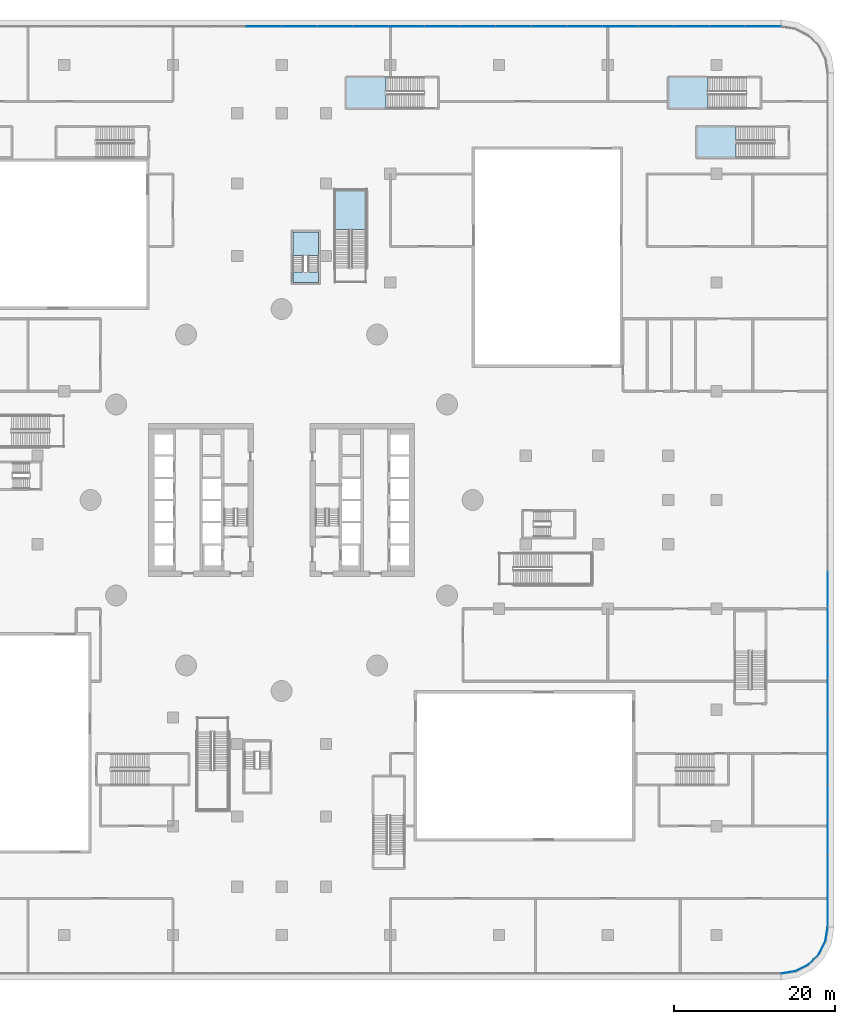
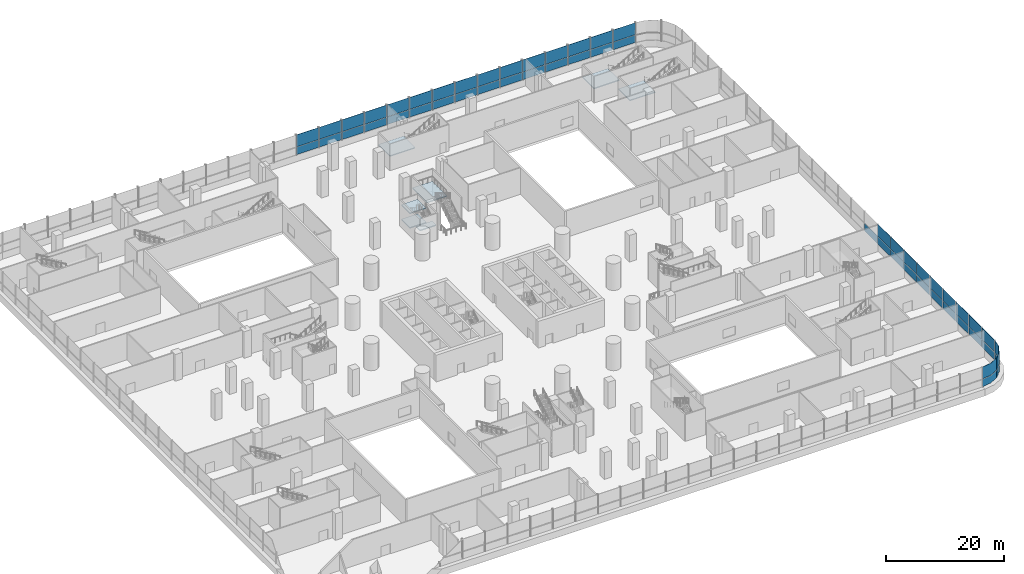
# One storey, part 26 of 52: 53 plates, 7 slabs, 8 elements without a shape of their own.
"""IFC4 building model written with IfcOpenShell, lengths in metres."""

import ifcopenshell
import ifcopenshell.guid

model = None  # the IFC model being written
_history = None  # IfcOwnerHistory: only IFC2X3 demands one
_inside = {}  # id of a spatial element -> (the spatial element, [elements in it])
_under = {}  # id of a project, library or spatial element -> (it, [spatial elements below it])
_declared = {}  # id of a project -> (the project, [libraries it declares])
_typed = {}  # id of a type object -> (the type object, [elements of that type])
_made_of = {}  # id of a material, layer set ... -> (it, [elements and type objects made of it])


def new_model(schema):
    """Start an empty IFC model of exactly this schema.

    Asked for "IFC4X3", IfcOpenShell would pick the latest addendum, in which some entities
    have other attributes; the version numbers below select the first issue.
    IFC2X3 requires an IfcOwnerHistory on every rooted entity: one is made here for all.
    """
    global model, _history
    if schema == "IFC4X3":
        model = ifcopenshell.file(schema_version=(4, 3, 0, 0))
    else:
        model = ifcopenshell.file(schema=schema)
    _inside.clear()
    _under.clear()
    _declared.clear()
    _typed.clear()
    _made_of.clear()
    _history = None
    if model.schema == "IFC2X3":
        org = make("IfcOrganization", Name="unknown")
        user = make(
            "IfcPersonAndOrganization",
            ThePerson=make("IfcPerson", FamilyName="unknown"),
            TheOrganization=org,
        )
        app = make(
            "IfcApplication",
            ApplicationDeveloper=org,
            Version="unknown",
            ApplicationFullName="unknown",
            ApplicationIdentifier="unknown",
        )
        _history = make(
            "IfcOwnerHistory",
            OwningUser=user,
            OwningApplication=app,
            ChangeAction="ADDED",
            CreationDate=0,
        )
    return model


def make(cls, **values):
    """One entity of the class cls with the attributes given. An attribute that is None is left unset."""
    return model.create_entity(
        cls, **{name: value for name, value in values.items() if value is not None}
    )


def rooted(cls, **values):
    """An entity with a GlobalId (a new one), such as an element, a storey or a relation."""
    return make(cls, GlobalId=ifcopenshell.guid.new(), OwnerHistory=_history, **values)


def si_unit(unit_type, name, prefix=None):
    """IfcSIUnit, for example si_unit("LENGTHUNIT", "METRE", prefix="MILLI")."""
    return make("IfcSIUnit", UnitType=unit_type, Prefix=prefix, Name=name)


def assignment(units):
    """IfcUnitAssignment: the units of a project."""
    return None if units is None else make("IfcUnitAssignment", Units=units)


def point(xyz):
    """IfcCartesianPoint."""
    return None if xyz is None else make("IfcCartesianPoint", Coordinates=xyz)


def direction(xyz):
    """IfcDirection."""
    return None if xyz is None else make("IfcDirection", DirectionRatios=xyz)


def frame(location, z_axis=None, x_axis=None):
    """IfcAxis2Placement3D, a coordinate frame: its origin and axes. An axis left out is left unset."""
    return make(
        "IfcAxis2Placement3D",
        Location=point(location),
        Axis=direction(z_axis),
        RefDirection=direction(x_axis),
    )


def origin():
    """The frame at (0, 0, 0) with its axes left unset."""
    return frame((0.0, 0.0, 0.0))


def place(relative_to, where):
    """IfcLocalPlacement: puts the frame where relative to a parent placement (None: the world)."""
    return make(
        "IfcLocalPlacement", PlacementRelTo=relative_to, RelativePlacement=where
    )


def context(
    kind, dimensions, precision=None, world=None, true_north=None, identifier=None
):
    """IfcGeometricRepresentationContext, for example the 3D "Model" context."""
    return make(
        "IfcGeometricRepresentationContext",
        ContextIdentifier=identifier,
        ContextType=kind,
        CoordinateSpaceDimension=dimensions,
        Precision=precision,
        WorldCoordinateSystem=world,
        TrueNorth=true_north,
    )


def subcontext(parent, identifier, kind, view, scale=None):
    """IfcGeometricRepresentationSubContext, for example "Body" below "Model"."""
    return make(
        "IfcGeometricRepresentationSubContext",
        ContextIdentifier=identifier,
        ContextType=kind,
        ParentContext=parent,
        TargetScale=scale,
        TargetView=view,
    )


def project(units=None, contexts=None):
    """IfcProject with its units and contexts."""
    return rooted(
        "IfcProject",
        Name="project",
        RepresentationContexts=contexts,
        UnitsInContext=assignment(units),
    )


def spatial(cls, under=None, at=None, **own):
    """A site, building, storey or space (cls), placed at a placement, below another one or the project."""
    s = rooted(cls, ObjectPlacement=at, **own)
    if under is not None:
        _under.setdefault(under.id(), (under, []))[1].append(s)
    return s


def polyline(points):
    """IfcPolyline through the points."""
    return make("IfcPolyline", Points=[point(p) for p in points])


def outline(outer, holes=None, kind="AREA"):
    """IfcArbitraryClosedProfileDef: a profile drawn as a closed curve; with holes, ...WithVoids."""
    if holes is None:
        return make("IfcArbitraryClosedProfileDef", ProfileType=kind, OuterCurve=outer)
    return make(
        "IfcArbitraryProfileDefWithVoids",
        ProfileType=kind,
        OuterCurve=outer,
        InnerCurves=holes,
    )


def extrude(swept, where, along, depth):
    """IfcExtrudedAreaSolid: the profile swept, set in the frame where, extruded along a direction by depth."""
    return make(
        "IfcExtrudedAreaSolid",
        SweptArea=swept,
        Position=where,
        ExtrudedDirection=direction(along),
        Depth=depth,
    )


def shape(context_of_items, identifier, shape_type, items):
    """IfcShapeRepresentation: the items that make up one representation, for example the "Body"."""
    return make(
        "IfcShapeRepresentation",
        ContextOfItems=context_of_items,
        RepresentationIdentifier=identifier,
        RepresentationType=shape_type,
        Items=items,
    )


def material(Name=None, Category=None):
    """IfcMaterial."""
    return make("IfcMaterial", Name=Name, Category=Category)


def layer(
    of_material, thickness, ventilated=None, Name=None, Category=None, Priority=None
):
    """IfcMaterialLayer: one layer of a wall or slab, of a material (None: an air gap)."""
    return make(
        "IfcMaterialLayer",
        Material=of_material,
        LayerThickness=thickness,
        IsVentilated=ventilated,
        Name=Name,
        Category=Category,
        Priority=Priority,
    )


def layer_set(layers, Name=None):
    """IfcMaterialLayerSet."""
    return make("IfcMaterialLayerSet", MaterialLayers=layers, LayerSetName=Name)


def made_of(thing, what):
    """Note that an element or type object is made of a material, layer set ...; save() writes the relation."""
    if what is not None:
        _made_of.setdefault(what.id(), (what, []))[1].append(thing)
    return thing


def type_object(cls, material=None, **own):
    """A type object (cls), such as IfcWallType, which elements share."""
    return made_of(rooted(cls, **own), material)


def element(
    cls,
    number,
    at=None,
    inside=None,
    cuts=None,
    type_object=None,
    material=None,
    context=None,
    identifier="Body",
    shape_type=None,
    held_by="IfcProductDefinitionShape",
    body=None,
    shapes=None,
    **own,
):
    """One element of the class cls, such as IfcWall. Its Tag is "e" and its number.

    at: its placement. inside: the storey or other place that contains it. cuts: it is an
    opening in that element (IfcRelVoidsElement). A single representation is given by context,
    identifier, shape_type and body (its items); several are given by shapes. held_by: the class
    of the entity that holds the representations. save() writes the other relations.
    """
    e = rooted(cls, Tag="e%d" % number, ObjectPlacement=at, **own)
    if body is not None:
        shapes = [shape(context, identifier, shape_type, body)]
    if shapes is not None:
        e.Representation = make(held_by, Representations=shapes)
    if inside is not None:
        _inside.setdefault(inside.id(), (inside, []))[1].append(e)
    if cuts is not None:
        rooted(
            "IfcRelVoidsElement", RelatingBuildingElement=cuts, RelatedOpeningElement=e
        )
    if type_object is not None:
        _typed.setdefault(type_object.id(), (type_object, []))[1].append(e)
    return made_of(e, material)


def aggregate(whole, parts):
    """IfcRelAggregates: a whole, such as a stair, and the parts it consists of."""
    return rooted("IfcRelAggregates", RelatingObject=whole, RelatedObjects=parts)


def save(model, path):
    """Write the relations noted so far, then the file.

    IfcRelAggregates (storeys below a building ...), IfcRelContainedInSpatialStructure (elements
    in a storey), IfcRelDefinesByType, IfcRelAssociatesMaterial and IfcRelDeclares: one each for
    every whole, place, type object, material and project.
    """
    for whole, parts in _under.values():
        aggregate(whole, parts)
    for where, things in _inside.values():
        rooted(
            "IfcRelContainedInSpatialStructure",
            RelatedElements=things,
            RelatingStructure=where,
        )
    for kind, things in _typed.values():
        rooted("IfcRelDefinesByType", RelatedObjects=things, RelatingType=kind)
    for what, things in _made_of.values():
        rooted("IfcRelAssociatesMaterial", RelatedObjects=things, RelatingMaterial=what)
    for by, libraries in _declared.values():
        rooted("IfcRelDeclares", RelatingContext=by, RelatedDefinitions=libraries)
    model.write(path)


model = new_model("IFC4")

# Units and contexts
model_context = context("Model", 3, precision=1e-05, world=origin(), true_north=direction((0.0, 1.0)))
body_context = subcontext(model_context, "Body", "Model", "MODEL_VIEW")
ifc_project = project(units=[si_unit("LENGTHUNIT", "METRE"), si_unit("AREAUNIT", "SQUARE_METRE"), si_unit("VOLUMEUNIT", "CUBIC_METRE"), si_unit("PLANEANGLEUNIT", "RADIAN"), si_unit("MASSUNIT", "GRAM", prefix="KILO")], contexts=[model_context])

# Site, building, storey
site_placement = place(None, origin())
site = spatial("IfcSite", under=ifc_project, at=site_placement, CompositionType="ELEMENT")
building_placement = place(site_placement, origin())
building = spatial("IfcBuilding", under=site, at=building_placement, Name="Tamarind Cross Interchange Tower", CompositionType="ELEMENT")
storey_placement = place(building_placement, frame((0.0, 0.0, 9.0)))
storey = spatial("IfcBuildingStorey", under=building, at=storey_placement, Name="L01", CompositionType="ELEMENT", Elevation=9.0)

# Stair, slab
ifc_material_1 = material(Name="Public stair")
stair_type_1 = type_object("IfcStairType", Name="Public stair", PredefinedType="HALF_TURN_STAIR", material=ifc_material_1)
stair_1_placement = place(storey_placement, origin())
stair_1 = element("IfcStair", 1, at=stair_1_placement, inside=storey, type_object=stair_type_1, Name="L01 public stair PS-N", PredefinedType="HALF_TURN_STAIR")
ifc_material_2 = material(Name="Concrete C40", Category="concrete")
ifc_layer_1 = layer(ifc_material_2, 0.199951171875)
ifc_layer_set_1 = layer_set([ifc_layer_1], Name="Concrete C40")
slab_type_1 = type_object("IfcSlabType", Name="Public stair landing", PredefinedType="LANDING", material=ifc_layer_set_1)
slab_1_placement = place(storey_placement, frame((0.0, 0.0, 2.800048828125)))
slab_1 = element("IfcSlab", 2, at=slab_1_placement, type_object=slab_type_1, Name="PS-N landing 1", PredefinedType="LANDING", context=body_context, shape_type="SweptSolid", body=[
    extrude(outline(polyline([(10.5, 33.56005859375), (10.5, 38.5), (6.60009765625, 38.5), (6.60009765625, 33.56005859375), (10.5, 33.56005859375)])), origin(), (0.0, 0.0, 1.0), 0.199951171875),
])
aggregate(stair_1, [slab_1])

stair_2_placement = place(storey_placement, origin())
stair_2 = element("IfcStair", 3, at=stair_2_placement, inside=storey, type_object=stair_type_1, Name="L01 exit stair XS-P01", PredefinedType="HALF_TURN_STAIR")
slab_2_placement = place(storey_placement, frame((0.0, 0.0, 2.800048828125)))
slab_2 = element("IfcSlab", 4, at=slab_2_placement, type_object=slab_type_1, Name="XS-P01 landing 1", PredefinedType="LANDING", context=body_context, shape_type="SweptSolid", body=[
    extrude(outline(polyline([(52.93994140625, 52.5), (48.0, 52.5), (48.0, 48.60009765625), (52.93994140625, 48.60009765625), (52.93994140625, 52.5)])), origin(), (0.0, 0.0, 1.0), 0.199951171875),
])
aggregate(stair_2, [slab_2])

stair_3_placement = place(storey_placement, origin())
stair_3 = element("IfcStair", 5, at=stair_3_placement, inside=storey, type_object=stair_type_1, Name="L01 exit stair XS-P02", PredefinedType="HALF_TURN_STAIR")
slab_3_placement = place(storey_placement, frame((0.0, 0.0, 2.800048828125)))
slab_3 = element("IfcSlab", 6, at=slab_3_placement, type_object=slab_type_1, Name="XS-P02 landing 1", PredefinedType="LANDING", context=body_context, shape_type="SweptSolid", body=[
    extrude(outline(polyline([(56.43994140625, 46.39990234375), (51.5, 46.39990234375), (51.5, 42.5), (56.43994140625, 42.5), (56.43994140625, 46.39990234375)])), origin(), (0.0, 0.0, 1.0), 0.199951171875),
])
aggregate(stair_3, [slab_3])

stair_4_placement = place(storey_placement, origin())
stair_4 = element("IfcStair", 7, at=stair_4_placement, inside=storey, type_object=stair_type_1, Name="L01 exit stair XS-P03", PredefinedType="HALF_TURN_STAIR")
slab_4_placement = place(storey_placement, frame((0.0, 0.0, 2.800048828125)))
slab_4 = element("IfcSlab", 8, at=slab_4_placement, type_object=slab_type_1, Name="XS-P03 landing 1", PredefinedType="LANDING", context=body_context, shape_type="SweptSolid", body=[
    extrude(outline(polyline([(12.93994140625, 52.5), (8.0, 52.5), (8.0, 48.60009765625), (12.93994140625, 48.60009765625), (12.93994140625, 52.5)])), origin(), (0.0, 0.0, 1.0), 0.199951171875),
])
aggregate(stair_4, [slab_4])

# Stair, slabs
ifc_material_3 = material(Name="Exit stair")
stair_type_2 = type_object("IfcStairType", Name="Exit stair", PredefinedType="HALF_TURN_STAIR", material=ifc_material_3)
stair_5_placement = place(storey_placement, origin())
stair_5 = element("IfcStair", 9, at=stair_5_placement, inside=storey, type_object=stair_type_2, Name="L01 exit stair ST4", PredefinedType="HALF_TURN_STAIR")
ifc_layer_2 = layer(ifc_material_2, 0.199951171875)
ifc_layer_set_2 = layer_set([ifc_layer_2], Name="Concrete C40")
slab_type_2 = type_object("IfcSlabType", Name="Stair landing", PredefinedType="LANDING", material=ifc_layer_set_2)
slab_5_placement = place(storey_placement, frame((0.0, 0.0, 1.300048828125)))
slab_5 = element("IfcSlab", 10, at=slab_5_placement, type_object=slab_type_2, Name="ST4 landing 1", PredefinedType="LANDING", context=body_context, shape_type="SweptSolid", body=[
    extrude(outline(polyline([(4.60009765625, 30.367919921875), (4.60009765625, 33.300048828125), (1.39990234375, 33.300048828125), (1.39990234375, 30.367919921875), (4.60009765625, 30.367919921875)])), origin(), (0.0, 0.0, 1.0), 0.199951171875),
])
slab_6_placement = place(storey_placement, frame((0.0, 0.0, 2.800048828125)))
slab_6 = element("IfcSlab", 11, at=slab_6_placement, type_object=slab_type_2, Name="ST4 landing 2", PredefinedType="LANDING", context=body_context, shape_type="SweptSolid", body=[
    extrude(outline(polyline([(4.60009765625, 27.0), (4.60009765625, 28.31201171875), (1.39990234375, 28.31201171875), (1.39990234375, 27.0), (4.60009765625, 27.0)])), origin(), (0.0, 0.0, 1.0), 0.199951171875),
])
slab_7_placement = place(storey_placement, frame((0.0, 0.0, 4.300048828125)))
slab_7 = element("IfcSlab", 12, at=slab_7_placement, type_object=slab_type_2, Name="ST4 landing 3", PredefinedType="LANDING", context=body_context, shape_type="SweptSolid", body=[
    extrude(outline(polyline([(4.60009765625, 30.367919921875), (4.60009765625, 33.300048828125), (1.39990234375, 33.300048828125), (1.39990234375, 30.367919921875), (4.60009765625, 30.367919921875)])), origin(), (0.0, 0.0, 1.0), 0.199951171875),
])
aggregate(stair_5, [slab_5, slab_6, slab_7])

# Curtain wall, plates
ifc_material_4 = material(Name="Aluminium 6063-T6", Category="aluminium")
ifc_layer_3 = layer(ifc_material_4, 0.199951171875)
ifc_layer_set_3 = layer_set([ifc_layer_3], Name="Aluminium 6063-T6")
curtain_wall_type = type_object("IfcCurtainWallType", Name="Podium shopfront and station curtain wall", PredefinedType="NOTDEFINED", material=ifc_layer_set_3)
curtain_wall_1_placement = place(storey_placement, origin())
curtain_wall_1 = element("IfcCurtainWall", 13, at=curtain_wall_1_placement, inside=storey, type_object=curtain_wall_type, Name="CWS-L01-00", PredefinedType="NOTDEFINED")
ifc_material_5 = material(Name="Toughened low-e glass 10+12+10", Category="glass")
ifc_layer_4 = layer(ifc_material_5, 0.031982421875)
ifc_layer_set_4 = layer_set([ifc_layer_4], Name="Toughened low-e glass 10+12+10")
plate_type = type_object("IfcPlateType", Name="Vision panel CW3", PredefinedType="CURTAIN_PANEL", material=ifc_layer_set_4)
plate_1_placement = place(storey_placement, frame((0.0, 0.0, 1.39990234375)))
plate_1 = element("IfcPlate", 14, at=plate_1_placement, type_object=plate_type, Name="CWP-L01-00-00-0", PredefinedType="CURTAIN_PANEL", context=body_context, shape_type="SweptSolid", body=[
    extrude(outline(polyline([(67.783935546875, -52.9443359375), (67.783935546875, -48.60888671875), (67.81591796875, -48.60888671875), (67.81591796875, -52.9443359375), (67.783935546875, -52.9443359375)])), origin(), (0.0, 0.0, 1.0), 1.570068359375),
])
plate_2_placement = place(storey_placement, frame((0.0, 0.0, 3.030029296875)))
plate_2 = element("IfcPlate", 15, at=plate_2_placement, type_object=plate_type, Name="CWP-L01-00-00-1", PredefinedType="CURTAIN_PANEL", context=body_context, shape_type="SweptSolid", body=[
    extrude(outline(polyline([(67.783935546875, -52.9443359375), (67.783935546875, -48.60888671875), (67.81591796875, -48.60888671875), (67.81591796875, -52.9443359375), (67.783935546875, -52.9443359375)])), origin(), (0.0, 0.0, 1.0), 2.469970703125),
])
plate_3_placement = place(storey_placement, frame((0.0, 0.0, 1.39990234375)))
plate_3 = element("IfcPlate", 16, at=plate_3_placement, type_object=plate_type, Name="CWP-L01-00-01-0", PredefinedType="CURTAIN_PANEL", context=body_context, shape_type="SweptSolid", body=[
    extrude(outline(polyline([(67.783935546875, -48.52880859375), (67.783935546875, -44.193603515625), (67.81591796875, -44.193603515625), (67.81591796875, -48.52880859375), (67.783935546875, -48.52880859375)])), origin(), (0.0, 0.0, 1.0), 1.570068359375),
])
plate_4_placement = place(storey_placement, frame((0.0, 0.0, 3.030029296875)))
plate_4 = element("IfcPlate", 17, at=plate_4_placement, type_object=plate_type, Name="CWP-L01-00-01-1", PredefinedType="CURTAIN_PANEL", context=body_context, shape_type="SweptSolid", body=[
    extrude(outline(polyline([(67.783935546875, -48.52880859375), (67.783935546875, -44.193603515625), (67.81591796875, -44.193603515625), (67.81591796875, -48.52880859375), (67.783935546875, -48.52880859375)])), origin(), (0.0, 0.0, 1.0), 2.469970703125),
])
plate_5_placement = place(storey_placement, frame((0.0, 0.0, 1.39990234375)))
plate_5 = element("IfcPlate", 18, at=plate_5_placement, type_object=plate_type, Name="CWP-L01-00-02-0", PredefinedType="CURTAIN_PANEL", context=body_context, shape_type="SweptSolid", body=[
    extrude(outline(polyline([(67.783935546875, -44.113525390625), (67.783935546875, -39.778076171875), (67.81591796875, -39.778076171875), (67.81591796875, -44.113525390625), (67.783935546875, -44.113525390625)])), origin(), (0.0, 0.0, 1.0), 1.570068359375),
])
plate_6_placement = place(storey_placement, frame((0.0, 0.0, 3.030029296875)))
plate_6 = element("IfcPlate", 19, at=plate_6_placement, type_object=plate_type, Name="CWP-L01-00-02-1", PredefinedType="CURTAIN_PANEL", context=body_context, shape_type="SweptSolid", body=[
    extrude(outline(polyline([(67.783935546875, -44.113525390625), (67.783935546875, -39.778076171875), (67.81591796875, -39.778076171875), (67.81591796875, -44.113525390625), (67.783935546875, -44.113525390625)])), origin(), (0.0, 0.0, 1.0), 2.469970703125),
])
plate_7_placement = place(storey_placement, frame((0.0, 0.0, 1.39990234375)))
plate_7 = element("IfcPlate", 20, at=plate_7_placement, type_object=plate_type, Name="CWP-L01-00-03-0", PredefinedType="CURTAIN_PANEL", context=body_context, shape_type="SweptSolid", body=[
    extrude(outline(polyline([(67.783935546875, -39.6982421875), (67.783935546875, -35.36279296875), (67.81591796875, -35.36279296875), (67.81591796875, -39.6982421875), (67.783935546875, -39.6982421875)])), origin(), (0.0, 0.0, 1.0), 1.570068359375),
])
plate_8_placement = place(storey_placement, frame((0.0, 0.0, 3.030029296875)))
plate_8 = element("IfcPlate", 21, at=plate_8_placement, type_object=plate_type, Name="CWP-L01-00-03-1", PredefinedType="CURTAIN_PANEL", context=body_context, shape_type="SweptSolid", body=[
    extrude(outline(polyline([(67.783935546875, -39.6982421875), (67.783935546875, -35.36279296875), (67.81591796875, -35.36279296875), (67.81591796875, -39.6982421875), (67.783935546875, -39.6982421875)])), origin(), (0.0, 0.0, 1.0), 2.469970703125),
])
plate_9_placement = place(storey_placement, frame((0.0, 0.0, 1.39990234375)))
plate_9 = element("IfcPlate", 22, at=plate_9_placement, type_object=plate_type, Name="CWP-L01-00-04-0", PredefinedType="CURTAIN_PANEL", context=body_context, shape_type="SweptSolid", body=[
    extrude(outline(polyline([(67.783935546875, -35.282958984375), (67.783935546875, -30.947509765625), (67.81591796875, -30.947509765625), (67.81591796875, -35.282958984375), (67.783935546875, -35.282958984375)])), origin(), (0.0, 0.0, 1.0), 1.570068359375),
])
plate_10_placement = place(storey_placement, frame((0.0, 0.0, 3.030029296875)))
plate_10 = element("IfcPlate", 23, at=plate_10_placement, type_object=plate_type, Name="CWP-L01-00-04-1", PredefinedType="CURTAIN_PANEL", context=body_context, shape_type="SweptSolid", body=[
    extrude(outline(polyline([(67.783935546875, -35.282958984375), (67.783935546875, -30.947509765625), (67.81591796875, -30.947509765625), (67.81591796875, -35.282958984375), (67.783935546875, -35.282958984375)])), origin(), (0.0, 0.0, 1.0), 2.469970703125),
])
plate_11_placement = place(storey_placement, frame((0.0, 0.0, 1.39990234375)))
plate_11 = element("IfcPlate", 24, at=plate_11_placement, type_object=plate_type, Name="CWP-L01-00-05-0", PredefinedType="CURTAIN_PANEL", context=body_context, shape_type="SweptSolid", body=[
    extrude(outline(polyline([(67.783935546875, -30.867431640625), (67.783935546875, -26.5322265625), (67.81591796875, -26.5322265625), (67.81591796875, -30.867431640625), (67.783935546875, -30.867431640625)])), origin(), (0.0, 0.0, 1.0), 1.570068359375),
])
plate_12_placement = place(storey_placement, frame((0.0, 0.0, 3.030029296875)))
plate_12 = element("IfcPlate", 25, at=plate_12_placement, type_object=plate_type, Name="CWP-L01-00-05-1", PredefinedType="CURTAIN_PANEL", context=body_context, shape_type="SweptSolid", body=[
    extrude(outline(polyline([(67.783935546875, -30.867431640625), (67.783935546875, -26.5322265625), (67.81591796875, -26.5322265625), (67.81591796875, -30.867431640625), (67.783935546875, -30.867431640625)])), origin(), (0.0, 0.0, 1.0), 2.469970703125),
])
plate_13_placement = place(storey_placement, frame((0.0, 0.0, 1.39990234375)))
plate_13 = element("IfcPlate", 26, at=plate_13_placement, type_object=plate_type, Name="CWP-L01-00-06-0", PredefinedType="CURTAIN_PANEL", context=body_context, shape_type="SweptSolid", body=[
    extrude(outline(polyline([(67.783935546875, -26.4521484375), (67.783935546875, -22.11669921875), (67.81591796875, -22.11669921875), (67.81591796875, -26.4521484375), (67.783935546875, -26.4521484375)])), origin(), (0.0, 0.0, 1.0), 1.570068359375),
])
plate_14_placement = place(storey_placement, frame((0.0, 0.0, 3.030029296875)))
plate_14 = element("IfcPlate", 27, at=plate_14_placement, type_object=plate_type, Name="CWP-L01-00-06-1", PredefinedType="CURTAIN_PANEL", context=body_context, shape_type="SweptSolid", body=[
    extrude(outline(polyline([(67.783935546875, -26.4521484375), (67.783935546875, -22.11669921875), (67.81591796875, -22.11669921875), (67.81591796875, -26.4521484375), (67.783935546875, -26.4521484375)])), origin(), (0.0, 0.0, 1.0), 2.469970703125),
])
plate_15_placement = place(storey_placement, frame((0.0, 0.0, 1.39990234375)))
plate_15 = element("IfcPlate", 28, at=plate_15_placement, type_object=plate_type, Name="CWP-L01-00-07-0", PredefinedType="CURTAIN_PANEL", context=body_context, shape_type="SweptSolid", body=[
    extrude(outline(polyline([(67.783935546875, -22.036865234375), (67.783935546875, -17.701416015625), (67.81591796875, -17.701416015625), (67.81591796875, -22.036865234375), (67.783935546875, -22.036865234375)])), origin(), (0.0, 0.0, 1.0), 1.570068359375),
])
plate_16_placement = place(storey_placement, frame((0.0, 0.0, 3.030029296875)))
plate_16 = element("IfcPlate", 29, at=plate_16_placement, type_object=plate_type, Name="CWP-L01-00-07-1", PredefinedType="CURTAIN_PANEL", context=body_context, shape_type="SweptSolid", body=[
    extrude(outline(polyline([(67.783935546875, -22.036865234375), (67.783935546875, -17.701416015625), (67.81591796875, -17.701416015625), (67.81591796875, -22.036865234375), (67.783935546875, -22.036865234375)])), origin(), (0.0, 0.0, 1.0), 2.469970703125),
])
plate_17_placement = place(storey_placement, frame((0.0, 0.0, 1.39990234375)))
plate_17 = element("IfcPlate", 30, at=plate_17_placement, type_object=plate_type, Name="CWP-L01-00-08-0", PredefinedType="CURTAIN_PANEL", context=body_context, shape_type="SweptSolid", body=[
    extrude(outline(polyline([(67.783935546875, -17.621337890625), (67.783935546875, -13.2861328125), (67.81591796875, -13.2861328125), (67.81591796875, -17.621337890625), (67.783935546875, -17.621337890625)])), origin(), (0.0, 0.0, 1.0), 1.570068359375),
])
plate_18_placement = place(storey_placement, frame((0.0, 0.0, 3.030029296875)))
plate_18 = element("IfcPlate", 31, at=plate_18_placement, type_object=plate_type, Name="CWP-L01-00-08-1", PredefinedType="CURTAIN_PANEL", context=body_context, shape_type="SweptSolid", body=[
    extrude(outline(polyline([(67.783935546875, -17.621337890625), (67.783935546875, -13.2861328125), (67.81591796875, -13.2861328125), (67.81591796875, -17.621337890625), (67.783935546875, -17.621337890625)])), origin(), (0.0, 0.0, 1.0), 2.469970703125),
])
plate_19_placement = place(storey_placement, frame((0.0, 0.0, 1.39990234375)))
plate_19 = element("IfcPlate", 32, at=plate_19_placement, type_object=plate_type, Name="CWP-L01-00-09-0", PredefinedType="CURTAIN_PANEL", context=body_context, shape_type="SweptSolid", body=[
    extrude(outline(polyline([(67.783935546875, -13.2060546875), (67.783935546875, -8.87060546875), (67.81591796875, -8.87060546875), (67.81591796875, -13.2060546875), (67.783935546875, -13.2060546875)])), origin(), (0.0, 0.0, 1.0), 1.570068359375),
])
aggregate(curtain_wall_1, [plate_1, plate_2, plate_3, plate_4, plate_5, plate_6, plate_7, plate_8, plate_9, plate_10, plate_11, plate_12, plate_13, plate_14, plate_15, plate_16, plate_17, plate_18, plate_19])

curtain_wall_2_placement = place(storey_placement, origin())
curtain_wall_2 = element("IfcCurtainWall", 33, at=curtain_wall_2_placement, inside=storey, type_object=curtain_wall_type, Name="CWS-L01-02", PredefinedType="NOTDEFINED")
plate_20_placement = place(storey_placement, frame((0.0, 0.0, 1.39990234375)))
plate_20 = element("IfcPlate", 34, at=plate_20_placement, type_object=plate_type, Name="CWP-L01-02-00-0", PredefinedType="CURTAIN_PANEL", context=body_context, shape_type="SweptSolid", body=[
    extrude(outline(polyline([(61.9443359375, 58.783935546875), (57.596923828125, 58.783935546875), (57.596923828125, 58.81591796875), (61.9443359375, 58.81591796875), (61.9443359375, 58.783935546875)])), origin(), (0.0, 0.0, 1.0), 1.570068359375),
])
plate_21_placement = place(storey_placement, frame((0.0, 0.0, 3.030029296875)))
plate_21 = element("IfcPlate", 35, at=plate_21_placement, type_object=plate_type, Name="CWP-L01-02-00-1", PredefinedType="CURTAIN_PANEL", context=body_context, shape_type="SweptSolid", body=[
    extrude(outline(polyline([(61.9443359375, 58.783935546875), (57.596923828125, 58.783935546875), (57.596923828125, 58.81591796875), (61.9443359375, 58.81591796875), (61.9443359375, 58.783935546875)])), origin(), (0.0, 0.0, 1.0), 2.469970703125),
])
plate_22_placement = place(storey_placement, frame((0.0, 0.0, 1.39990234375)))
plate_22 = element("IfcPlate", 36, at=plate_22_placement, type_object=plate_type, Name="CWP-L01-02-01-0", PredefinedType="CURTAIN_PANEL", context=body_context, shape_type="SweptSolid", body=[
    extrude(outline(polyline([(57.516845703125, 58.783935546875), (53.16943359375, 58.783935546875), (53.16943359375, 58.81591796875), (57.516845703125, 58.81591796875), (57.516845703125, 58.783935546875)])), origin(), (0.0, 0.0, 1.0), 1.570068359375),
])
plate_23_placement = place(storey_placement, frame((0.0, 0.0, 3.030029296875)))
plate_23 = element("IfcPlate", 37, at=plate_23_placement, type_object=plate_type, Name="CWP-L01-02-01-1", PredefinedType="CURTAIN_PANEL", context=body_context, shape_type="SweptSolid", body=[
    extrude(outline(polyline([(57.516845703125, 58.783935546875), (53.16943359375, 58.783935546875), (53.16943359375, 58.81591796875), (57.516845703125, 58.81591796875), (57.516845703125, 58.783935546875)])), origin(), (0.0, 0.0, 1.0), 2.469970703125),
])
plate_24_placement = place(storey_placement, frame((0.0, 0.0, 1.39990234375)))
plate_24 = element("IfcPlate", 38, at=plate_24_placement, type_object=plate_type, Name="CWP-L01-02-02-0", PredefinedType="CURTAIN_PANEL", context=body_context, shape_type="SweptSolid", body=[
    extrude(outline(polyline([(53.08935546875, 58.783935546875), (48.741943359375, 58.783935546875), (48.741943359375, 58.81591796875), (53.08935546875, 58.81591796875), (53.08935546875, 58.783935546875)])), origin(), (0.0, 0.0, 1.0), 1.570068359375),
])
plate_25_placement = place(storey_placement, frame((0.0, 0.0, 3.030029296875)))
plate_25 = element("IfcPlate", 39, at=plate_25_placement, type_object=plate_type, Name="CWP-L01-02-02-1", PredefinedType="CURTAIN_PANEL", context=body_context, shape_type="SweptSolid", body=[
    extrude(outline(polyline([(53.08935546875, 58.783935546875), (48.741943359375, 58.783935546875), (48.741943359375, 58.81591796875), (53.08935546875, 58.81591796875), (53.08935546875, 58.783935546875)])), origin(), (0.0, 0.0, 1.0), 2.469970703125),
])
plate_26_placement = place(storey_placement, frame((0.0, 0.0, 1.39990234375)))
plate_26 = element("IfcPlate", 40, at=plate_26_placement, type_object=plate_type, Name="CWP-L01-02-03-0", PredefinedType="CURTAIN_PANEL", context=body_context, shape_type="SweptSolid", body=[
    extrude(outline(polyline([(48.661865234375, 58.783935546875), (44.314453125, 58.783935546875), (44.314453125, 58.81591796875), (48.661865234375, 58.81591796875), (48.661865234375, 58.783935546875)])), origin(), (0.0, 0.0, 1.0), 1.570068359375),
])
plate_27_placement = place(storey_placement, frame((0.0, 0.0, 3.030029296875)))
plate_27 = element("IfcPlate", 41, at=plate_27_placement, type_object=plate_type, Name="CWP-L01-02-03-1", PredefinedType="CURTAIN_PANEL", context=body_context, shape_type="SweptSolid", body=[
    extrude(outline(polyline([(48.661865234375, 58.783935546875), (44.314453125, 58.783935546875), (44.314453125, 58.81591796875), (48.661865234375, 58.81591796875), (48.661865234375, 58.783935546875)])), origin(), (0.0, 0.0, 1.0), 2.469970703125),
])
plate_28_placement = place(storey_placement, frame((0.0, 0.0, 1.39990234375)))
plate_28 = element("IfcPlate", 42, at=plate_28_placement, type_object=plate_type, Name="CWP-L01-02-04-0", PredefinedType="CURTAIN_PANEL", context=body_context, shape_type="SweptSolid", body=[
    extrude(outline(polyline([(44.234375, 58.783935546875), (39.886962890625, 58.783935546875), (39.886962890625, 58.81591796875), (44.234375, 58.81591796875), (44.234375, 58.783935546875)])), origin(), (0.0, 0.0, 1.0), 1.570068359375),
])
plate_29_placement = place(storey_placement, frame((0.0, 0.0, 3.030029296875)))
plate_29 = element("IfcPlate", 43, at=plate_29_placement, type_object=plate_type, Name="CWP-L01-02-04-1", PredefinedType="CURTAIN_PANEL", context=body_context, shape_type="SweptSolid", body=[
    extrude(outline(polyline([(44.234375, 58.783935546875), (39.886962890625, 58.783935546875), (39.886962890625, 58.81591796875), (44.234375, 58.81591796875), (44.234375, 58.783935546875)])), origin(), (0.0, 0.0, 1.0), 2.469970703125),
])
plate_30_placement = place(storey_placement, frame((0.0, 0.0, 1.39990234375)))
plate_30 = element("IfcPlate", 44, at=plate_30_placement, type_object=plate_type, Name="CWP-L01-02-05-0", PredefinedType="CURTAIN_PANEL", context=body_context, shape_type="SweptSolid", body=[
    extrude(outline(polyline([(39.80712890625, 58.783935546875), (35.45947265625, 58.783935546875), (35.45947265625, 58.81591796875), (39.80712890625, 58.81591796875), (39.80712890625, 58.783935546875)])), origin(), (0.0, 0.0, 1.0), 1.570068359375),
])
plate_31_placement = place(storey_placement, frame((0.0, 0.0, 3.030029296875)))
plate_31 = element("IfcPlate", 45, at=plate_31_placement, type_object=plate_type, Name="CWP-L01-02-05-1", PredefinedType="CURTAIN_PANEL", context=body_context, shape_type="SweptSolid", body=[
    extrude(outline(polyline([(39.80712890625, 58.783935546875), (35.45947265625, 58.783935546875), (35.45947265625, 58.81591796875), (39.80712890625, 58.81591796875), (39.80712890625, 58.783935546875)])), origin(), (0.0, 0.0, 1.0), 2.469970703125),
])
plate_32_placement = place(storey_placement, frame((0.0, 0.0, 1.39990234375)))
plate_32 = element("IfcPlate", 46, at=plate_32_placement, type_object=plate_type, Name="CWP-L01-02-06-0", PredefinedType="CURTAIN_PANEL", context=body_context, shape_type="SweptSolid", body=[
    extrude(outline(polyline([(35.379638671875, 58.783935546875), (31.0322265625, 58.783935546875), (31.0322265625, 58.81591796875), (35.379638671875, 58.81591796875), (35.379638671875, 58.783935546875)])), origin(), (0.0, 0.0, 1.0), 1.570068359375),
])
plate_33_placement = place(storey_placement, frame((0.0, 0.0, 3.030029296875)))
plate_33 = element("IfcPlate", 47, at=plate_33_placement, type_object=plate_type, Name="CWP-L01-02-06-1", PredefinedType="CURTAIN_PANEL", context=body_context, shape_type="SweptSolid", body=[
    extrude(outline(polyline([(35.379638671875, 58.783935546875), (31.0322265625, 58.783935546875), (31.0322265625, 58.81591796875), (35.379638671875, 58.81591796875), (35.379638671875, 58.783935546875)])), origin(), (0.0, 0.0, 1.0), 2.469970703125),
])
plate_34_placement = place(storey_placement, frame((0.0, 0.0, 1.39990234375)))
plate_34 = element("IfcPlate", 48, at=plate_34_placement, type_object=plate_type, Name="CWP-L01-02-07-0", PredefinedType="CURTAIN_PANEL", context=body_context, shape_type="SweptSolid", body=[
    extrude(outline(polyline([(30.9521484375, 58.783935546875), (26.604736328125, 58.783935546875), (26.604736328125, 58.81591796875), (30.9521484375, 58.81591796875), (30.9521484375, 58.783935546875)])), origin(), (0.0, 0.0, 1.0), 1.570068359375),
])
plate_35_placement = place(storey_placement, frame((0.0, 0.0, 3.030029296875)))
plate_35 = element("IfcPlate", 49, at=plate_35_placement, type_object=plate_type, Name="CWP-L01-02-07-1", PredefinedType="CURTAIN_PANEL", context=body_context, shape_type="SweptSolid", body=[
    extrude(outline(polyline([(30.9521484375, 58.783935546875), (26.604736328125, 58.783935546875), (26.604736328125, 58.81591796875), (30.9521484375, 58.81591796875), (30.9521484375, 58.783935546875)])), origin(), (0.0, 0.0, 1.0), 2.469970703125),
])
plate_36_placement = place(storey_placement, frame((0.0, 0.0, 1.39990234375)))
plate_36 = element("IfcPlate", 50, at=plate_36_placement, type_object=plate_type, Name="CWP-L01-02-08-0", PredefinedType="CURTAIN_PANEL", context=body_context, shape_type="SweptSolid", body=[
    extrude(outline(polyline([(26.524658203125, 58.783935546875), (22.17724609375, 58.783935546875), (22.17724609375, 58.81591796875), (26.524658203125, 58.81591796875), (26.524658203125, 58.783935546875)])), origin(), (0.0, 0.0, 1.0), 1.570068359375),
])
plate_37_placement = place(storey_placement, frame((0.0, 0.0, 3.030029296875)))
plate_37 = element("IfcPlate", 51, at=plate_37_placement, type_object=plate_type, Name="CWP-L01-02-08-1", PredefinedType="CURTAIN_PANEL", context=body_context, shape_type="SweptSolid", body=[
    extrude(outline(polyline([(26.524658203125, 58.783935546875), (22.17724609375, 58.783935546875), (22.17724609375, 58.81591796875), (26.524658203125, 58.81591796875), (26.524658203125, 58.783935546875)])), origin(), (0.0, 0.0, 1.0), 2.469970703125),
])
plate_38_placement = place(storey_placement, frame((0.0, 0.0, 1.39990234375)))
plate_38 = element("IfcPlate", 52, at=plate_38_placement, type_object=plate_type, Name="CWP-L01-02-09-0", PredefinedType="CURTAIN_PANEL", context=body_context, shape_type="SweptSolid", body=[
    extrude(outline(polyline([(22.09716796875, 58.783935546875), (17.749755859375, 58.783935546875), (17.749755859375, 58.81591796875), (22.09716796875, 58.81591796875), (22.09716796875, 58.783935546875)])), origin(), (0.0, 0.0, 1.0), 1.570068359375),
])
plate_39_placement = place(storey_placement, frame((0.0, 0.0, 3.030029296875)))
plate_39 = element("IfcPlate", 53, at=plate_39_placement, type_object=plate_type, Name="CWP-L01-02-09-1", PredefinedType="CURTAIN_PANEL", context=body_context, shape_type="SweptSolid", body=[
    extrude(outline(polyline([(22.09716796875, 58.783935546875), (17.749755859375, 58.783935546875), (17.749755859375, 58.81591796875), (22.09716796875, 58.81591796875), (22.09716796875, 58.783935546875)])), origin(), (0.0, 0.0, 1.0), 2.469970703125),
])
plate_40_placement = place(storey_placement, frame((0.0, 0.0, 1.39990234375)))
plate_40 = element("IfcPlate", 54, at=plate_40_placement, type_object=plate_type, Name="CWP-L01-02-10-0", PredefinedType="CURTAIN_PANEL", context=body_context, shape_type="SweptSolid", body=[
    extrude(outline(polyline([(17.669677734375, 58.783935546875), (13.322265625, 58.783935546875), (13.322265625, 58.81591796875), (17.669677734375, 58.81591796875), (17.669677734375, 58.783935546875)])), origin(), (0.0, 0.0, 1.0), 1.570068359375),
])
plate_41_placement = place(storey_placement, frame((0.0, 0.0, 3.030029296875)))
plate_41 = element("IfcPlate", 55, at=plate_41_placement, type_object=plate_type, Name="CWP-L01-02-10-1", PredefinedType="CURTAIN_PANEL", context=body_context, shape_type="SweptSolid", body=[
    extrude(outline(polyline([(17.669677734375, 58.783935546875), (13.322265625, 58.783935546875), (13.322265625, 58.81591796875), (17.669677734375, 58.81591796875), (17.669677734375, 58.783935546875)])), origin(), (0.0, 0.0, 1.0), 2.469970703125),
])
plate_42_placement = place(storey_placement, frame((0.0, 0.0, 1.39990234375)))
plate_42 = element("IfcPlate", 56, at=plate_42_placement, type_object=plate_type, Name="CWP-L01-02-11-0", PredefinedType="CURTAIN_PANEL", context=body_context, shape_type="SweptSolid", body=[
    extrude(outline(polyline([(13.242431640625, 58.783935546875), (8.894775390625, 58.783935546875), (8.894775390625, 58.81591796875), (13.242431640625, 58.81591796875), (13.242431640625, 58.783935546875)])), origin(), (0.0, 0.0, 1.0), 1.570068359375),
])
plate_43_placement = place(storey_placement, frame((0.0, 0.0, 3.030029296875)))
plate_43 = element("IfcPlate", 57, at=plate_43_placement, type_object=plate_type, Name="CWP-L01-02-11-1", PredefinedType="CURTAIN_PANEL", context=body_context, shape_type="SweptSolid", body=[
    extrude(outline(polyline([(13.242431640625, 58.783935546875), (8.894775390625, 58.783935546875), (8.894775390625, 58.81591796875), (13.242431640625, 58.81591796875), (13.242431640625, 58.783935546875)])), origin(), (0.0, 0.0, 1.0), 2.469970703125),
])
plate_44_placement = place(storey_placement, frame((0.0, 0.0, 1.39990234375)))
plate_44 = element("IfcPlate", 58, at=plate_44_placement, type_object=plate_type, Name="CWP-L01-02-12-0", PredefinedType="CURTAIN_PANEL", context=body_context, shape_type="SweptSolid", body=[
    extrude(outline(polyline([(8.81494140625, 58.783935546875), (4.467529296875, 58.783935546875), (4.467529296875, 58.81591796875), (8.81494140625, 58.81591796875), (8.81494140625, 58.783935546875)])), origin(), (0.0, 0.0, 1.0), 1.570068359375),
])
plate_45_placement = place(storey_placement, frame((0.0, 0.0, 3.030029296875)))
plate_45 = element("IfcPlate", 59, at=plate_45_placement, type_object=plate_type, Name="CWP-L01-02-12-1", PredefinedType="CURTAIN_PANEL", context=body_context, shape_type="SweptSolid", body=[
    extrude(outline(polyline([(8.81494140625, 58.783935546875), (4.467529296875, 58.783935546875), (4.467529296875, 58.81591796875), (8.81494140625, 58.81591796875), (8.81494140625, 58.783935546875)])), origin(), (0.0, 0.0, 1.0), 2.469970703125),
])
plate_46_placement = place(storey_placement, frame((0.0, 0.0, 1.39990234375)))
plate_46 = element("IfcPlate", 60, at=plate_46_placement, type_object=plate_type, Name="CWP-L01-02-13-0", PredefinedType="CURTAIN_PANEL", context=body_context, shape_type="SweptSolid", body=[
    extrude(outline(polyline([(4.387451171875, 58.783935546875), (0.0400390625, 58.783935546875), (0.0400390625, 58.81591796875), (4.387451171875, 58.81591796875), (4.387451171875, 58.783935546875)])), origin(), (0.0, 0.0, 1.0), 1.570068359375),
])
plate_47_placement = place(storey_placement, frame((0.0, 0.0, 3.030029296875)))
plate_47 = element("IfcPlate", 61, at=plate_47_placement, type_object=plate_type, Name="CWP-L01-02-13-1", PredefinedType="CURTAIN_PANEL", context=body_context, shape_type="SweptSolid", body=[
    extrude(outline(polyline([(4.387451171875, 58.783935546875), (0.0400390625, 58.783935546875), (0.0400390625, 58.81591796875), (4.387451171875, 58.81591796875), (4.387451171875, 58.783935546875)])), origin(), (0.0, 0.0, 1.0), 2.469970703125),
])
plate_48_placement = place(storey_placement, frame((0.0, 0.0, 1.39990234375)))
plate_48 = element("IfcPlate", 62, at=plate_48_placement, type_object=plate_type, Name="CWP-L01-02-14-0", PredefinedType="CURTAIN_PANEL", context=body_context, shape_type="SweptSolid", body=[
    extrude(outline(polyline([(-0.0400390625, 58.783935546875), (-4.387451171875, 58.783935546875), (-4.387451171875, 58.81591796875), (-0.0400390625, 58.81591796875), (-0.0400390625, 58.783935546875)])), origin(), (0.0, 0.0, 1.0), 1.570068359375),
])
plate_49_placement = place(storey_placement, frame((0.0, 0.0, 3.030029296875)))
plate_49 = element("IfcPlate", 63, at=plate_49_placement, type_object=plate_type, Name="CWP-L01-02-14-1", PredefinedType="CURTAIN_PANEL", context=body_context, shape_type="SweptSolid", body=[
    extrude(outline(polyline([(-0.0400390625, 58.783935546875), (-4.387451171875, 58.783935546875), (-4.387451171875, 58.81591796875), (-0.0400390625, 58.81591796875), (-0.0400390625, 58.783935546875)])), origin(), (0.0, 0.0, 1.0), 2.469970703125),
])
aggregate(curtain_wall_2, [plate_20, plate_21, plate_22, plate_23, plate_24, plate_25, plate_26, plate_27, plate_28, plate_29, plate_30, plate_31, plate_32, plate_33, plate_34, plate_35, plate_36, plate_37, plate_38, plate_39, plate_40, plate_41, plate_42, plate_43, plate_44, plate_45, plate_46, plate_47, plate_48, plate_49])

curtain_wall_3_placement = place(storey_placement, origin())
curtain_wall_3 = element("IfcCurtainWall", 64, at=curtain_wall_3_placement, inside=storey, type_object=curtain_wall_type, Name="CWS-L01-07", PredefinedType="NOTDEFINED")
plate_50_placement = place(storey_placement, frame((0.0, 0.0, 1.39990234375)))
plate_50 = element("IfcPlate", 65, at=plate_50_placement, type_object=plate_type, Name="CWP-L01-07-00-0", PredefinedType="CURTAIN_PANEL", context=body_context, shape_type="SweptSolid", body=[
    extrude(outline(polyline([(62.021240234375, -58.77783203125), (63.78662109375, -58.498291015625), (65.398193359375, -57.67724609375), (66.00927734375, -57.06591796875), (66.031982421875, -57.088623046875), (65.417236328125, -57.703369140625), (63.796630859375, -58.529052734375), (62.0263671875, -58.8095703125), (62.021240234375, -58.77783203125)])), origin(), (0.0, 0.0, 1.0), 1.570068359375),
])
plate_51_placement = place(storey_placement, frame((0.0, 0.0, 3.030029296875)))
plate_51 = element("IfcPlate", 66, at=plate_51_placement, type_object=plate_type, Name="CWP-L01-07-00-1", PredefinedType="CURTAIN_PANEL", context=body_context, shape_type="SweptSolid", body=[
    extrude(outline(polyline([(62.021240234375, -58.77783203125), (63.78662109375, -58.498291015625), (65.398193359375, -57.67724609375), (66.00927734375, -57.06591796875), (66.031982421875, -57.088623046875), (65.417236328125, -57.703369140625), (63.796630859375, -58.529052734375), (62.0263671875, -58.8095703125), (62.021240234375, -58.77783203125)])), origin(), (0.0, 0.0, 1.0), 2.469970703125),
])
plate_52_placement = place(storey_placement, frame((0.0, 0.0, 1.39990234375)))
plate_52 = element("IfcPlate", 67, at=plate_52_placement, type_object=plate_type, Name="CWP-L01-07-01-0", PredefinedType="CURTAIN_PANEL", context=body_context, shape_type="SweptSolid", body=[
    extrude(outline(polyline([(66.06591796875, -57.00927734375), (66.67724609375, -56.398193359375), (67.498291015625, -54.78662109375), (67.77783203125, -53.021240234375), (67.8095703125, -53.0263671875), (67.529052734375, -54.796630859375), (66.703369140625, -56.417236328125), (66.088623046875, -57.031982421875), (66.06591796875, -57.00927734375)])), origin(), (0.0, 0.0, 1.0), 1.570068359375),
])
plate_53_placement = place(storey_placement, frame((0.0, 0.0, 3.030029296875)))
plate_53 = element("IfcPlate", 68, at=plate_53_placement, type_object=plate_type, Name="CWP-L01-07-01-1", PredefinedType="CURTAIN_PANEL", context=body_context, shape_type="SweptSolid", body=[
    extrude(outline(polyline([(66.06591796875, -57.00927734375), (66.67724609375, -56.398193359375), (67.498291015625, -54.78662109375), (67.77783203125, -53.021240234375), (67.8095703125, -53.0263671875), (67.529052734375, -54.796630859375), (66.703369140625, -56.417236328125), (66.088623046875, -57.031982421875), (66.06591796875, -57.00927734375)])), origin(), (0.0, 0.0, 1.0), 2.469970703125),
])
aggregate(curtain_wall_3, [plate_50, plate_51, plate_52, plate_53])

save(model, "model.ifc")
